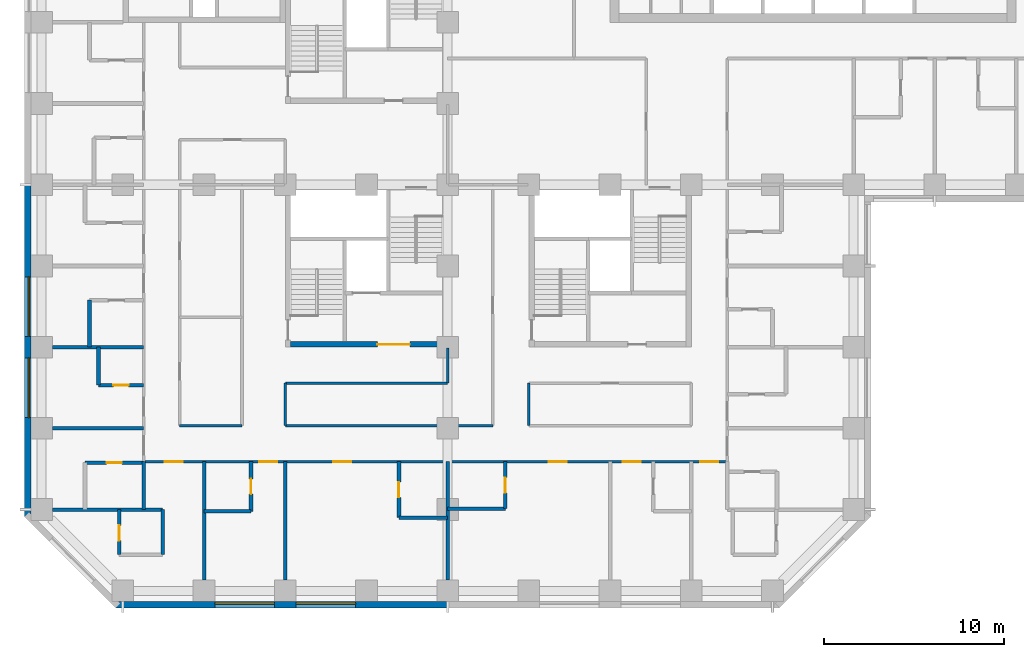
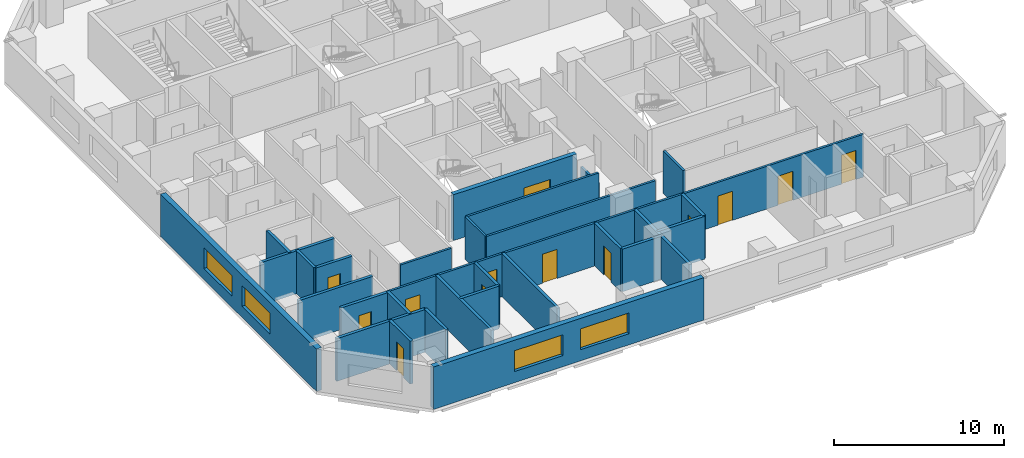
# One storey, part 3 of 13: 29 walls, 13 doors, 4 windows, 17 openings.
"""IFC4 building model written with IfcOpenShell, lengths in metres."""

from ifc_helpers import new_model, si_unit, direction, frame, frame_2d, origin, place, context, subcontext, project, spatial, rectangle, extrude, material, layer, layer_set, constituent, constituent_set, type_object, element, fill, save


model = new_model("IFC4")

# Units and contexts
model_context = context("Model", 3, precision=1e-05, world=origin(), true_north=direction((0.0, 1.0)))
body_context = subcontext(model_context, "Body", "Model", "MODEL_VIEW")
ifc_project = project(units=[si_unit("LENGTHUNIT", "METRE"), si_unit("AREAUNIT", "SQUARE_METRE"), si_unit("VOLUMEUNIT", "CUBIC_METRE"), si_unit("PLANEANGLEUNIT", "RADIAN"), si_unit("MASSUNIT", "GRAM", prefix="KILO")], contexts=[model_context])

# Site, building, storey
site_placement = place(None, origin())
site = spatial("IfcSite", under=ifc_project, at=site_placement, CompositionType="ELEMENT")
building_placement = place(site_placement, origin())
building = spatial("IfcBuilding", under=site, at=building_placement, Name="Quoin Convention Tower", CompositionType="ELEMENT")
storey_placement = place(building_placement, frame((0.0, 0.0, 36.300048828125)))
storey = spatial("IfcBuildingStorey", under=building, at=storey_placement, Name="L08", CompositionType="ELEMENT", Elevation=36.300048828125)

# Wall, openings, windows
ifc_material_1 = material(Name="Brick masonry", Category="masonry")
ifc_layer_1 = layer(ifc_material_1, 0.35009765625)
ifc_layer_set_1 = layer_set([ifc_layer_1], Name="Brick masonry")
wall_type_1 = type_object("IfcWallType", Name="Brick facade wall", PredefinedType="STANDARD", material=ifc_layer_set_1)
wall_1_placement = place(storey_placement, frame((17.6064453125, 17.22509765625, 0.0), z_axis=(0.0, 0.0, 1.0), x_axis=(1.0, 0.0, 0.0)))
wall_1 = element("IfcWall", 1, at=wall_1_placement, inside=storey, type_object=wall_type_1, Name="fw-L08-18000_18000", PredefinedType="STANDARD", context=body_context, shape_type="SweptSolid", body=[
    extrude(rectangle(XDim=18.3935546875, YDim=0.35009765625, at=frame_2d((9.19677734375, 0.0))), origin(), (0.0, 0.0, 1.0), 3.054931640625),
])
opening_1_placement = place(wall_1_placement, frame((5.493408203125, 0.0, 0.800048828125)))
opening_1 = element("IfcOpeningElement", 2, at=opening_1_placement, cuts=wall_1, Name="Opening W-01", PredefinedType="OPENING", context=body_context, shape_type="SweptSolid", body=[
    extrude(rectangle(XDim=3.300048828125, YDim=1.5, at=frame_2d((1.64990234375, 0.75))), frame((0.0, 0.18505859375, 0.0), z_axis=(0.0, -1.0, 0.0), x_axis=(1.0, 0.0, 0.0)), (0.0, 0.0, 1.0), 0.3701171875),
])
opening_2_placement = place(wall_1_placement, frame((9.993408203125, 0.0, 0.800048828125)))
opening_2 = element("IfcOpeningElement", 3, at=opening_2_placement, cuts=wall_1, Name="Opening W-01", PredefinedType="OPENING", context=body_context, shape_type="SweptSolid", body=[
    extrude(rectangle(XDim=3.300048828125, YDim=1.5, at=frame_2d((1.64990234375, 0.75))), frame((0.0, 0.18505859375, 0.0), z_axis=(0.0, -1.0, 0.0), x_axis=(1.0, 0.0, 0.0)), (0.0, 0.0, 1.0), 0.3701171875),
])
ifc_material_2 = material(Name="Aluminium", Category="aluminium")
ifc_constituent_1 = constituent(ifc_material_2, Name="Frame")
ifc_material_3 = material(Name="Insulated glass", Category="glass")
ifc_constituent_2 = constituent(ifc_material_3, Name="Glazing")
ifc_constituent_set = constituent_set(constituents=[ifc_constituent_1, ifc_constituent_2], Name="Aluminium")
window_type = type_object("IfcWindowType", Name="Hotel strip window", PartitioningType="DOUBLE_PANEL_VERTICAL", PredefinedType="WINDOW", material=ifc_constituent_set)
window_1_placement = place(opening_1_placement, origin())
window_1 = element("IfcWindow", 4, at=window_1_placement, inside=storey, type_object=window_type, Name="win-L08-24750_17225", OverallHeight=1.5, OverallWidth=3.300048828125, PartitioningType="SINGLE_PANEL", PredefinedType="WINDOW", context=body_context, shape_type="SweptSolid", body=[
    extrude(rectangle(XDim=3.300048828125, YDim=1.5, at=frame_2d((1.64990234375, 0.75))), frame((0.0, 0.0849609375, 0.0), z_axis=(0.0, -1.0, 0.0), x_axis=(1.0, 0.0, 0.0)), (0.0, 0.0, 1.0), 0.06005859375),
])
fill(opening_1, window_1)
window_2_placement = place(opening_2_placement, origin())
window_2 = element("IfcWindow", 5, at=window_2_placement, inside=storey, type_object=window_type, Name="win-L08-29250_17225", OverallHeight=1.5, OverallWidth=3.300048828125, PartitioningType="SINGLE_PANEL", PredefinedType="WINDOW", context=body_context, shape_type="SweptSolid", body=[
    extrude(rectangle(XDim=3.300048828125, YDim=1.5, at=frame_2d((1.64990234375, 0.75))), frame((0.0, 0.0849609375, 0.0), z_axis=(0.0, -1.0, 0.0), x_axis=(1.0, 0.0, 0.0)), (0.0, 0.0, 1.0), 0.06005859375),
])
fill(opening_2, window_2)

wall_2_placement = place(storey_placement, frame((12.72509765625, 40.5, 0.0), z_axis=(0.0, 0.0, 1.0), x_axis=(0.0, -1.0, 0.0)))
wall_2 = element("IfcWall", 6, at=wall_2_placement, inside=storey, type_object=wall_type_1, Name="fw-L08-13500_40500", PredefinedType="STANDARD", context=body_context, shape_type="SweptSolid", body=[
    extrude(rectangle(XDim=18.3935546875, YDim=0.35009765625, at=frame_2d((9.19677734375, 0.0))), origin(), (0.0, 0.0, 1.0), 3.054931640625),
])
opening_3_placement = place(wall_2_placement, frame((5.10009765625, 0.0, 0.800048828125)))
opening_3 = element("IfcOpeningElement", 7, at=opening_3_placement, cuts=wall_2, Name="Opening W-01", PredefinedType="OPENING", context=body_context, shape_type="SweptSolid", body=[
    extrude(rectangle(XDim=3.300048828125, YDim=1.5, at=frame_2d((1.64990234375, 0.75))), frame((0.0, 0.18505859375, 0.0), z_axis=(0.0, -1.0, 0.0), x_axis=(1.0, 0.0, 0.0)), (0.0, 0.0, 1.0), 0.3701171875),
])
opening_4_placement = place(wall_2_placement, frame((9.60009765625, 0.0, 0.800048828125)))
opening_4 = element("IfcOpeningElement", 8, at=opening_4_placement, cuts=wall_2, Name="Opening W-01", PredefinedType="OPENING", context=body_context, shape_type="SweptSolid", body=[
    extrude(rectangle(XDim=3.300048828125, YDim=1.5, at=frame_2d((1.64990234375, 0.75))), frame((0.0, 0.18505859375, 0.0), z_axis=(0.0, -1.0, 0.0), x_axis=(1.0, 0.0, 0.0)), (0.0, 0.0, 1.0), 0.3701171875),
])
window_3_placement = place(opening_3_placement, origin())
window_3 = element("IfcWindow", 9, at=window_3_placement, inside=storey, type_object=window_type, Name="win-L08-12725_33750", OverallHeight=1.5, OverallWidth=3.300048828125, PartitioningType="SINGLE_PANEL", PredefinedType="WINDOW", context=body_context, shape_type="SweptSolid", body=[
    extrude(rectangle(XDim=3.300048828125, YDim=1.5, at=frame_2d((1.64990234375, 0.75))), frame((0.0, 0.0849609375, 0.0), z_axis=(0.0, -1.0, 0.0), x_axis=(1.0, 0.0, 0.0)), (0.0, 0.0, 1.0), 0.06005859375),
])
fill(opening_3, window_3)
window_4_placement = place(opening_4_placement, origin())
window_4 = element("IfcWindow", 10, at=window_4_placement, inside=storey, type_object=window_type, Name="win-L08-12725_29250", OverallHeight=1.5, OverallWidth=3.300048828125, PartitioningType="SINGLE_PANEL", PredefinedType="WINDOW", context=body_context, shape_type="SweptSolid", body=[
    extrude(rectangle(XDim=3.300048828125, YDim=1.5, at=frame_2d((1.64990234375, 0.75))), frame((0.0, 0.0849609375, 0.0), z_axis=(0.0, -1.0, 0.0), x_axis=(1.0, 0.0, 0.0)), (0.0, 0.0, 1.0), 0.06005859375),
])
fill(opening_4, window_4)

# Wall, opening, door
ifc_material_4 = material(Name="Concrete C80", Category="concrete")
ifc_layer_2 = layer(ifc_material_4, 0.300048828125)
ifc_layer_set_2 = layer_set([ifc_layer_2], Name="Concrete C80")
wall_type_2 = type_object("IfcWallType", Name="RC CORE WALL 300 C80", PredefinedType="SHEAR", material=ifc_layer_set_2)
wall_3_placement = place(storey_placement, frame((27.300048828125, 31.64990234375, 0.0), z_axis=(0.0, 0.0, 1.0), x_axis=(1.0, 0.0, 0.0)))
wall_3 = element("IfcWall", 11, at=wall_3_placement, inside=storey, type_object=wall_type_2, Name="cwl-P4-L08-S", PredefinedType="SHEAR", context=body_context, shape_type="SweptSolid", body=[
    extrude(rectangle(XDim=8.39990234375, YDim=0.300048828125, at=frame_2d((4.199951171875, 0.0))), origin(), (0.0, 0.0, 1.0), 3.300048828125),
])
opening_5_placement = place(wall_3_placement, frame((4.800048828125, 0.0, 0.0)))
opening_5 = element("IfcOpeningElement", 12, at=opening_5_placement, cuts=wall_3, Name="Opening DCV3-43", PredefinedType="OPENING", context=body_context, shape_type="SweptSolid", body=[
    extrude(rectangle(XDim=1.800048828125, YDim=2.10009765625, at=frame_2d((0.89990234375, 1.050048828125))), frame((0.0, 0.159912109375, 0.0), z_axis=(0.0, -1.0, 0.0), x_axis=(1.0, 0.0, 0.0)), (0.0, 0.0, 1.0), 0.320068359375),
])
ifc_material_5 = material(Name="Steel door leaf", Category="steel")
door_type_1 = type_object("IfcDoorType", Name="Goods lobby door 1800 x 2100", OperationType="SINGLE_SWING_LEFT", PredefinedType="DOOR", material=ifc_material_5)
door_1_placement = place(opening_5_placement, origin())
door_1 = element("IfcDoor", 13, at=door_1_placement, inside=storey, type_object=door_type_1, Name="cd-P4-L08-R2-S", OperationType="SINGLE_SWING_LEFT", OverallHeight=2.10009765625, OverallWidth=1.800048828125, PredefinedType="DOOR", context=body_context, shape_type="SweptSolid", body=[
    extrude(rectangle(XDim=1.800048828125, YDim=2.10009765625, at=frame_2d((0.89990234375, 1.050048828125))), frame((0.0, 0.02490234375, 0.0), z_axis=(0.0, -1.0, 0.0), x_axis=(1.0, 0.0, 0.0)), (0.0, 0.0, 1.0), 0.050048828125),
])
fill(opening_5, door_1)

# Walls
ifc_material_6 = material(Name="Concrete C50", Category="concrete")
ifc_layer_3 = layer(ifc_material_6, 0.199951171875)
ifc_layer_set_3 = layer_set([ifc_layer_3], Name="Concrete C50")
wall_type_3 = type_object("IfcWallType", Name="RC party wall", PredefinedType="SOLIDWALL", material=ifc_layer_set_3)
for number, where, z_axis, x_axis, name in (
    (14, (22.5, 18.60009765625, 0.0), (0.0, 0.0, 1.0), (0.0, 1.0, 0.0), "pw-L08-039"),
    (15, (27.0, 18.60009765625, 0.0), (0.0, 0.0, 1.0), (0.0, 1.0, 0.0), "pw-L08-040"),
    (16, (36.0, 18.60009765625, 0.0), (0.0, 0.0, 1.0), (0.0, 1.0, 0.0), "pw-L08-041"),
):
    element("IfcWall", number, at=place(storey_placement, frame(where, z_axis=z_axis, x_axis=x_axis)), inside=storey, type_object=wall_type_3, Name=name, PredefinedType="SOLIDWALL", context=body_context, shape_type="SweptSolid", body=[
        extrude(rectangle(XDim=6.5498046875, YDim=0.199951171875, at=frame_2d((3.27490234375, 0.0))), origin(), (0.0, 0.0, 1.0), 3.079833984375),
    ])

# Wall, opening, door
wall_4_placement = place(storey_placement, frame((17.800048828125, 20.0, 0.0), z_axis=(0.0, 0.0, 1.0), x_axis=(0.0, 1.0, 0.0)))
wall_4 = element("IfcWall", 17, at=wall_4_placement, inside=storey, type_object=wall_type_3, Name="pw-L08-045", PredefinedType="SOLIDWALL", context=body_context, shape_type="SweptSolid", body=[
    extrude(rectangle(XDim=2.5, YDim=0.199951171875, at=frame_2d((1.25, 0.0))), origin(), (0.0, 0.0, 1.0), 3.079833984375),
])
opening_6_placement = place(wall_4_placement, frame((0.77490234375, 0.0, 0.0)))
opening_6 = element("IfcOpeningElement", 18, at=opening_6_placement, cuts=wall_4, Name="Opening DHOTEL-D-42", PredefinedType="OPENING", context=body_context, shape_type="SweptSolid", body=[
    extrude(rectangle(XDim=0.85009765625, YDim=2.10009765625, at=frame_2d((0.425048828125, 1.050048828125))), frame((0.0, 0.10986328125, 0.0), z_axis=(0.0, -1.0, 0.0), x_axis=(1.0, 0.0, 0.0)), (0.0, 0.0, 1.0), 0.219970703125),
])
door_type_2 = type_object("IfcDoorType", Name="Bathroom door", OperationType="SINGLE_SWING_LEFT", PredefinedType="DOOR", material=ifc_material_5)
door_2_placement = place(opening_6_placement, origin())
door_2 = element("IfcDoor", 19, at=door_2_placement, inside=storey, type_object=door_type_2, Name="dr-L08-060", OperationType="SINGLE_SWING_RIGHT", OverallHeight=2.10009765625, OverallWidth=0.85009765625, PredefinedType="DOOR", context=body_context, shape_type="SweptSolid", body=[
    extrude(rectangle(XDim=0.85009765625, YDim=2.10009765625, at=frame_2d((0.425048828125, 1.050048828125))), frame((0.0, 0.02490234375, 0.0), z_axis=(0.0, -1.0, 0.0), x_axis=(1.0, 0.0, 0.0)), (0.0, 0.0, 1.0), 0.050048828125),
])
fill(opening_6, door_2)

# Walls
wall_5_placement = place(storey_placement, frame((20.199951171875, 20.0, 0.0), z_axis=(0.0, 0.0, 1.0), x_axis=(0.0, 1.0, 0.0)))
element("IfcWall", 20, at=wall_5_placement, inside=storey, type_object=wall_type_3, Name="pw-L08-046", PredefinedType="SOLIDWALL", context=body_context, shape_type="SweptSolid", body=[
    extrude(rectangle(XDim=2.5, YDim=0.199951171875, at=frame_2d((1.25, 0.0))), origin(), (0.0, 0.0, 1.0), 3.079833984375),
])
wall_6_placement = place(storey_placement, frame((33.300048828125, 22.050048828125, 0.0), z_axis=(0.0, 0.0, 1.0), x_axis=(1.0, 0.0, 0.0)))
element("IfcWall", 21, at=wall_6_placement, inside=storey, type_object=wall_type_3, Name="pw-L08-050", PredefinedType="SOLIDWALL", context=body_context, shape_type="SweptSolid", body=[
    extrude(rectangle(XDim=2.699951171875, YDim=0.199951171875, at=frame_2d((1.35009765625, 0.0))), origin(), (0.0, 0.0, 1.0), 3.079833984375),
])

# Wall, opening, door
wall_7_placement = place(storey_placement, frame((33.300048828125, 22.050048828125, 0.0), z_axis=(0.0, 0.0, 1.0), x_axis=(0.0, 1.0, 0.0)))
wall_7 = element("IfcWall", 22, at=wall_7_placement, inside=storey, type_object=wall_type_3, Name="pw-L08-051", PredefinedType="SOLIDWALL", context=body_context, shape_type="SweptSolid", body=[
    extrude(rectangle(XDim=3.099853515625, YDim=0.199951171875, at=frame_2d((1.5498046875, 0.0))), origin(), (0.0, 0.0, 1.0), 3.079833984375),
])
opening_7_placement = place(wall_7_placement, frame((1.125, 0.0, 0.0)))
opening_7 = element("IfcOpeningElement", 23, at=opening_7_placement, cuts=wall_7, Name="Opening DHOTEL-D-44", PredefinedType="OPENING", context=body_context, shape_type="SweptSolid", body=[
    extrude(rectangle(XDim=0.85009765625, YDim=2.10009765625, at=frame_2d((0.425048828125, 1.050048828125))), frame((0.0, 0.10986328125, 0.0), z_axis=(0.0, -1.0, 0.0), x_axis=(1.0, 0.0, 0.0)), (0.0, 0.0, 1.0), 0.219970703125),
])
door_3_placement = place(opening_7_placement, origin())
door_3 = element("IfcDoor", 24, at=door_3_placement, inside=storey, type_object=door_type_2, Name="dr-L08-004", OperationType="SINGLE_SWING_RIGHT", OverallHeight=2.10009765625, OverallWidth=0.85009765625, PredefinedType="DOOR", context=body_context, shape_type="SweptSolid", body=[
    extrude(rectangle(XDim=0.85009765625, YDim=2.10009765625, at=frame_2d((0.425048828125, 1.050048828125))), frame((0.0, 0.02490234375, 0.0), z_axis=(0.0, -1.0, 0.0), x_axis=(1.0, 0.0, 0.0)), (0.0, 0.0, 1.0), 0.050048828125),
])
fill(opening_7, door_3)

# Wall
wall_8_placement = place(storey_placement, frame((22.5, 22.39990234375, 0.0), z_axis=(0.0, 0.0, 1.0), x_axis=(1.0, 0.0, 0.0)))
element("IfcWall", 25, at=wall_8_placement, inside=storey, type_object=wall_type_3, Name="pw-L08-052", PredefinedType="SOLIDWALL", context=body_context, shape_type="SweptSolid", body=[
    extrude(rectangle(XDim=2.60009765625, YDim=0.199951171875, at=frame_2d((1.300048828125, 0.0))), origin(), (0.0, 0.0, 1.0), 3.079833984375),
])

# Wall, opening, door
wall_9_placement = place(storey_placement, frame((25.10009765625, 22.39990234375, 0.0), z_axis=(0.0, 0.0, 1.0), x_axis=(0.0, 1.0, 0.0)))
wall_9 = element("IfcWall", 26, at=wall_9_placement, inside=storey, type_object=wall_type_3, Name="pw-L08-053", PredefinedType="SOLIDWALL", context=body_context, shape_type="SweptSolid", body=[
    extrude(rectangle(XDim=2.75, YDim=0.199951171875, at=frame_2d((1.375, 0.0))), origin(), (0.0, 0.0, 1.0), 3.079833984375),
])
opening_8_placement = place(wall_9_placement, frame((0.949951171875, 0.0, 0.0)))
opening_8 = element("IfcOpeningElement", 27, at=opening_8_placement, cuts=wall_9, Name="Opening DHOTEL-D-45", PredefinedType="OPENING", context=body_context, shape_type="SweptSolid", body=[
    extrude(rectangle(XDim=0.85009765625, YDim=2.10009765625, at=frame_2d((0.425048828125, 1.050048828125))), frame((0.0, 0.10986328125, 0.0), z_axis=(0.0, -1.0, 0.0), x_axis=(1.0, 0.0, 0.0)), (0.0, 0.0, 1.0), 0.219970703125),
])
door_4_placement = place(opening_8_placement, frame((0.85009765625, 0.0, 0.0), z_axis=(0.0, 0.0, 1.0), x_axis=(-1.0, 0.0, 0.0)))
door_4 = element("IfcDoor", 28, at=door_4_placement, inside=storey, type_object=door_type_2, Name="dr-L08-002", OperationType="SINGLE_SWING_LEFT", OverallHeight=2.10009765625, OverallWidth=0.85009765625, PredefinedType="DOOR", context=body_context, shape_type="SweptSolid", body=[
    extrude(rectangle(XDim=0.85009765625, YDim=2.10009765625, at=frame_2d((0.425048828125, 1.050048828125))), frame((0.0, 0.02490234375, 0.0), z_axis=(0.0, -1.0, 0.0), x_axis=(1.0, 0.0, 0.0)), (0.0, 0.0, 1.0), 0.050048828125),
])
fill(opening_8, door_4)

# Walls
wall_10_placement = place(storey_placement, frame((14.10009765625, 22.5, 0.0), z_axis=(0.0, 0.0, 1.0), x_axis=(1.0, 0.0, 0.0)))
element("IfcWall", 29, at=wall_10_placement, inside=storey, type_object=wall_type_3, Name="pw-L08-056", PredefinedType="SOLIDWALL", context=body_context, shape_type="SweptSolid", body=[
    extrude(rectangle(XDim=6.099853515625, YDim=0.199951171875, at=frame_2d((3.0498046875, 0.0))), origin(), (0.0, 0.0, 1.0), 3.079833984375),
])
wall_11_placement = place(storey_placement, frame((19.14990234375, 22.5, 0.0), z_axis=(0.0, 0.0, 1.0), x_axis=(0.0, 1.0, 0.0)))
element("IfcWall", 30, at=wall_11_placement, inside=storey, type_object=wall_type_3, Name="pw-L08-058", PredefinedType="SOLIDWALL", context=body_context, shape_type="SweptSolid", body=[
    extrude(rectangle(XDim=2.64990234375, YDim=0.199951171875, at=frame_2d((1.324951171875, 0.0))), origin(), (0.0, 0.0, 1.0), 3.079833984375),
])
wall_12_placement = place(storey_placement, frame((36.0, 22.550048828125, 0.0), z_axis=(0.0, 0.0, 1.0), x_axis=(1.0, 0.0, 0.0)))
element("IfcWall", 31, at=wall_12_placement, inside=storey, type_object=wall_type_3, Name="pw-L08-062", PredefinedType="SOLIDWALL", context=body_context, shape_type="SweptSolid", body=[
    extrude(rectangle(XDim=3.199951171875, YDim=0.199951171875, at=frame_2d((1.60009765625, 0.0))), origin(), (0.0, 0.0, 1.0), 3.079833984375),
])

# Wall, opening, door
wall_13_placement = place(storey_placement, frame((39.199951171875, 22.550048828125, 0.0), z_axis=(0.0, 0.0, 1.0), x_axis=(0.0, 1.0, 0.0)))
wall_13 = element("IfcWall", 32, at=wall_13_placement, inside=storey, type_object=wall_type_3, Name="pw-L08-063", PredefinedType="SOLIDWALL", context=body_context, shape_type="SweptSolid", body=[
    extrude(rectangle(XDim=2.599853515625, YDim=0.199951171875, at=frame_2d((1.2998046875, 0.0))), origin(), (0.0, 0.0, 1.0), 3.079833984375),
])
opening_9_placement = place(wall_13_placement, frame((0.875, 0.0, 0.0)))
opening_9 = element("IfcOpeningElement", 33, at=opening_9_placement, cuts=wall_13, Name="Opening DHOTEL-D-47", PredefinedType="OPENING", context=body_context, shape_type="SweptSolid", body=[
    extrude(rectangle(XDim=0.85009765625, YDim=2.10009765625, at=frame_2d((0.425048828125, 1.050048828125))), frame((0.0, 0.10986328125, 0.0), z_axis=(0.0, -1.0, 0.0), x_axis=(1.0, 0.0, 0.0)), (0.0, 0.0, 1.0), 0.219970703125),
])
door_5_placement = place(opening_9_placement, frame((0.85009765625, 0.0, 0.0), z_axis=(0.0, 0.0, 1.0), x_axis=(-1.0, 0.0, 0.0)))
door_5 = element("IfcDoor", 34, at=door_5_placement, inside=storey, type_object=door_type_2, Name="dr-L08-006", OperationType="SINGLE_SWING_LEFT", OverallHeight=2.10009765625, OverallWidth=0.85009765625, PredefinedType="DOOR", context=body_context, shape_type="SweptSolid", body=[
    extrude(rectangle(XDim=0.85009765625, YDim=2.10009765625, at=frame_2d((0.425048828125, 1.050048828125))), frame((0.0, 0.02490234375, 0.0), z_axis=(0.0, -1.0, 0.0), x_axis=(1.0, 0.0, 0.0)), (0.0, 0.0, 1.0), 0.050048828125),
])
fill(opening_9, door_5)

wall_14_placement = place(storey_placement, frame((15.89990234375, 25.10009765625, 0.0), z_axis=(0.0, 0.0, 1.0), x_axis=(1.0, 0.0, 0.0)))
wall_14 = element("IfcWall", 35, at=wall_14_placement, inside=storey, type_object=wall_type_3, Name="pw-L08-065", PredefinedType="SOLIDWALL", context=body_context, shape_type="SweptSolid", body=[
    extrude(rectangle(XDim=3.25, YDim=0.199951171875, at=frame_2d((1.625, 0.0))), origin(), (0.0, 0.0, 1.0), 3.079833984375),
])
opening_10_placement = place(wall_14_placement, frame((1.199951171875, 0.0, 0.0)))
opening_10 = element("IfcOpeningElement", 36, at=opening_10_placement, cuts=wall_14, Name="Opening DHOTEL-D-49", PredefinedType="OPENING", context=body_context, shape_type="SweptSolid", body=[
    extrude(rectangle(XDim=0.85009765625, YDim=2.10009765625, at=frame_2d((0.425048828125, 1.050048828125))), frame((0.0, 0.10986328125, 0.0), z_axis=(0.0, -1.0, 0.0), x_axis=(1.0, 0.0, 0.0)), (0.0, 0.0, 1.0), 0.219970703125),
])
door_6_placement = place(opening_10_placement, origin())
door_6 = element("IfcDoor", 37, at=door_6_placement, inside=storey, type_object=door_type_2, Name="dr-L08-010", OperationType="SINGLE_SWING_RIGHT", OverallHeight=2.10009765625, OverallWidth=0.85009765625, PredefinedType="DOOR", context=body_context, shape_type="SweptSolid", body=[
    extrude(rectangle(XDim=0.85009765625, YDim=2.10009765625, at=frame_2d((0.425048828125, 1.050048828125))), frame((0.0, 0.02490234375, 0.0), z_axis=(0.0, -1.0, 0.0), x_axis=(1.0, 0.0, 0.0)), (0.0, 0.0, 1.0), 0.050048828125),
])
fill(opening_10, door_6)

# Wall
wall_15_placement = place(storey_placement, frame((14.10009765625, 27.0, 0.0), z_axis=(0.0, 0.0, 1.0), x_axis=(1.0, 0.0, 0.0)))
element("IfcWall", 38, at=wall_15_placement, inside=storey, type_object=wall_type_3, Name="pw-L08-066", PredefinedType="SOLIDWALL", context=body_context, shape_type="SweptSolid", body=[
    extrude(rectangle(XDim=5.0498046875, YDim=0.199951171875, at=frame_2d((2.52490234375, 0.0))), origin(), (0.0, 0.0, 1.0), 3.079833984375),
])

# Wall, opening, door
wall_16_placement = place(storey_placement, frame((16.64990234375, 29.39990234375, 0.0), z_axis=(0.0, 0.0, 1.0), x_axis=(1.0, 0.0, 0.0)))
wall_16 = element("IfcWall", 39, at=wall_16_placement, inside=storey, type_object=wall_type_3, Name="pw-L08-070", PredefinedType="SOLIDWALL", context=body_context, shape_type="SweptSolid", body=[
    extrude(rectangle(XDim=2.5, YDim=0.199951171875, at=frame_2d((1.25, 0.0))), origin(), (0.0, 0.0, 1.0), 3.079833984375),
])
opening_11_placement = place(wall_16_placement, frame((0.824951171875, 0.0, 0.0)))
opening_11 = element("IfcOpeningElement", 40, at=opening_11_placement, cuts=wall_16, Name="Opening DHOTEL-D-51", PredefinedType="OPENING", context=body_context, shape_type="SweptSolid", body=[
    extrude(rectangle(XDim=0.85009765625, YDim=2.10009765625, at=frame_2d((0.425048828125, 1.050048828125))), frame((0.0, 0.10986328125, 0.0), z_axis=(0.0, -1.0, 0.0), x_axis=(1.0, 0.0, 0.0)), (0.0, 0.0, 1.0), 0.219970703125),
])
door_7_placement = place(opening_11_placement, origin())
door_7 = element("IfcDoor", 41, at=door_7_placement, inside=storey, type_object=door_type_2, Name="dr-L08-012", OperationType="SINGLE_SWING_RIGHT", OverallHeight=2.10009765625, OverallWidth=0.85009765625, PredefinedType="DOOR", context=body_context, shape_type="SweptSolid", body=[
    extrude(rectangle(XDim=0.85009765625, YDim=2.10009765625, at=frame_2d((0.425048828125, 1.050048828125))), frame((0.0, 0.02490234375, 0.0), z_axis=(0.0, -1.0, 0.0), x_axis=(1.0, 0.0, 0.0)), (0.0, 0.0, 1.0), 0.050048828125),
])
fill(opening_11, door_7)

# Walls
wall_17_placement = place(storey_placement, frame((16.64990234375, 29.39990234375, 0.0), z_axis=(0.0, 0.0, 1.0), x_axis=(0.0, 1.0, 0.0)))
element("IfcWall", 42, at=wall_17_placement, inside=storey, type_object=wall_type_3, Name="pw-L08-071", PredefinedType="SOLIDWALL", context=body_context, shape_type="SweptSolid", body=[
    extrude(rectangle(XDim=2.10009765625, YDim=0.199951171875, at=frame_2d((1.050048828125, 0.0))), origin(), (0.0, 0.0, 1.0), 3.079833984375),
])
wall_18_placement = place(storey_placement, frame((14.10009765625, 31.5, 0.0), z_axis=(0.0, 0.0, 1.0), x_axis=(1.0, 0.0, 0.0)))
element("IfcWall", 43, at=wall_18_placement, inside=storey, type_object=wall_type_3, Name="pw-L08-072", PredefinedType="SOLIDWALL", context=body_context, shape_type="SweptSolid", body=[
    extrude(rectangle(XDim=5.0498046875, YDim=0.199951171875, at=frame_2d((2.52490234375, 0.0))), origin(), (0.0, 0.0, 1.0), 3.079833984375),
])
wall_19_placement = place(storey_placement, frame((16.14990234375, 31.5, 0.0), z_axis=(0.0, 0.0, 1.0), x_axis=(0.0, 1.0, 0.0)))
element("IfcWall", 44, at=wall_19_placement, inside=storey, type_object=wall_type_3, Name="pw-L08-073", PredefinedType="SOLIDWALL", context=body_context, shape_type="SweptSolid", body=[
    extrude(rectangle(XDim=2.60009765625, YDim=0.199951171875, at=frame_2d((1.300048828125, 0.0))), origin(), (0.0, 0.0, 1.0), 3.079833984375),
])

# Wall, openings, doors
ifc_material_7 = material(Name="Plasterboard")
ifc_layer_4 = layer(ifc_material_7, 0.012451171875, Name="Finish")
ifc_material_8 = material(Name="Steel stud framing", Category="steel")
ifc_layer_5 = layer(ifc_material_8, 0.125, Name="Structure")
ifc_layer_6 = layer(ifc_material_7, 0.012451171875, Name="Finish")
ifc_layer_set_4 = layer_set([ifc_layer_4, ifc_layer_5, ifc_layer_6], Name="Steel stud framing")
wall_type_4 = type_object("IfcWallType", Name="corridor partition", PredefinedType="PARTITIONING", material=ifc_layer_set_4)
wall_20_placement = place(storey_placement, frame((19.14990234375, 25.14990234375, 0.0), z_axis=(0.0, 0.0, 1.0), x_axis=(1.0, 0.0, 0.0)))
wall_20 = element("IfcWall", 45, at=wall_20_placement, inside=storey, type_object=wall_type_4, Name="pw-L08-005", PredefinedType="PARTITIONING", context=body_context, shape_type="SweptSolid", body=[
    extrude(rectangle(XDim=32.35009765625, YDim=0.14990234375, at=frame_2d((16.175048828125, 0.0))), origin(), (0.0, 0.0, 1.0), 3.079833984375),
])
opening_12_placement = place(wall_20_placement, frame((6.39990234375, 0.0, 0.0)))
opening_12 = element("IfcOpeningElement", 46, at=opening_12_placement, cuts=wall_20, Name="Opening DHOTEL-D-02", PredefinedType="OPENING", context=body_context, shape_type="SweptSolid", body=[
    extrude(rectangle(XDim=1.0, YDim=2.10009765625, at=frame_2d((0.5, 1.050048828125))), frame((0.0, 0.0849609375, 0.0), z_axis=(0.0, -1.0, 0.0), x_axis=(1.0, 0.0, 0.0)), (0.0, 0.0, 1.0), 0.169921875),
])
opening_13_placement = place(wall_20_placement, frame((10.5, 0.0, 0.0)))
opening_13 = element("IfcOpeningElement", 47, at=opening_13_placement, cuts=wall_20, Name="Opening DHOTEL-D-03", PredefinedType="OPENING", context=body_context, shape_type="SweptSolid", body=[
    extrude(rectangle(XDim=1.0, YDim=2.10009765625, at=frame_2d((0.5, 1.050048828125))), frame((0.0, 0.0849609375, 0.0), z_axis=(0.0, -1.0, 0.0), x_axis=(1.0, 0.0, 0.0)), (0.0, 0.0, 1.0), 0.169921875),
])
opening_14_placement = place(wall_20_placement, frame((22.449951171875, 0.0, 0.0)))
opening_14 = element("IfcOpeningElement", 48, at=opening_14_placement, cuts=wall_20, Name="Opening DHOTEL-D-04", PredefinedType="OPENING", context=body_context, shape_type="SweptSolid", body=[
    extrude(rectangle(XDim=1.0, YDim=2.10009765625, at=frame_2d((0.5, 1.050048828125))), frame((0.0, 0.0849609375, 0.0), z_axis=(0.0, -1.0, 0.0), x_axis=(1.0, 0.0, 0.0)), (0.0, 0.0, 1.0), 0.169921875),
])
opening_15_placement = place(wall_20_placement, frame((26.550048828125, 0.0, 0.0)))
opening_15 = element("IfcOpeningElement", 49, at=opening_15_placement, cuts=wall_20, Name="Opening DHOTEL-D-05", PredefinedType="OPENING", context=body_context, shape_type="SweptSolid", body=[
    extrude(rectangle(XDim=1.0, YDim=2.10009765625, at=frame_2d((0.5, 1.050048828125))), frame((0.0, 0.0849609375, 0.0), z_axis=(0.0, -1.0, 0.0), x_axis=(1.0, 0.0, 0.0)), (0.0, 0.0, 1.0), 0.169921875),
])
opening_16_placement = place(wall_20_placement, frame((1.175048828125, 0.0, 0.0)))
opening_16 = element("IfcOpeningElement", 50, at=opening_16_placement, cuts=wall_20, Name="Opening DHOTEL-D-01", PredefinedType="OPENING", context=body_context, shape_type="SweptSolid", body=[
    extrude(rectangle(XDim=1.0, YDim=2.10009765625, at=frame_2d((0.5, 1.050048828125))), frame((0.0, 0.0849609375, 0.0), z_axis=(0.0, -1.0, 0.0), x_axis=(1.0, 0.0, 0.0)), (0.0, 0.0, 1.0), 0.169921875),
])
opening_17_placement = place(wall_20_placement, frame((30.85009765625, 0.0, 0.0)))
opening_17 = element("IfcOpeningElement", 51, at=opening_17_placement, cuts=wall_20, Name="Opening DHOTEL-D-06", PredefinedType="OPENING", context=body_context, shape_type="SweptSolid", body=[
    extrude(rectangle(XDim=1.0, YDim=2.10009765625, at=frame_2d((0.5, 1.050048828125))), frame((0.0, 0.0849609375, 0.0), z_axis=(0.0, -1.0, 0.0), x_axis=(1.0, 0.0, 0.0)), (0.0, 0.0, 1.0), 0.169921875),
])
door_type_3 = type_object("IfcDoorType", Name="Hotel room door", OperationType="SINGLE_SWING_LEFT", PredefinedType="DOOR", material=ifc_material_5)
door_8_placement = place(opening_12_placement, frame((1.0, 0.0, 0.0), z_axis=(0.0, 0.0, 1.0), x_axis=(-1.0, 0.0, 0.0)))
door_8 = element("IfcDoor", 52, at=door_8_placement, inside=storey, type_object=door_type_3, Name="dr-L08-001", OperationType="SINGLE_SWING_LEFT", OverallHeight=2.10009765625, OverallWidth=1.0, PredefinedType="DOOR", context=body_context, shape_type="SweptSolid", body=[
    extrude(rectangle(XDim=1.0, YDim=2.10009765625, at=frame_2d((0.5, 1.050048828125))), frame((0.0, 0.02490234375, 0.0), z_axis=(0.0, -1.0, 0.0), x_axis=(1.0, 0.0, 0.0)), (0.0, 0.0, 1.0), 0.050048828125),
])
fill(opening_12, door_8)
door_9_placement = place(opening_13_placement, frame((1.0, 0.0, 0.0), z_axis=(0.0, 0.0, 1.0), x_axis=(-1.0, 0.0, 0.0)))
door_9 = element("IfcDoor", 53, at=door_9_placement, inside=storey, type_object=door_type_3, Name="dr-L08-003", OperationType="SINGLE_SWING_LEFT", OverallHeight=2.10009765625, OverallWidth=1.0, PredefinedType="DOOR", context=body_context, shape_type="SweptSolid", body=[
    extrude(rectangle(XDim=1.0, YDim=2.10009765625, at=frame_2d((0.5, 1.050048828125))), frame((0.0, 0.02490234375, 0.0), z_axis=(0.0, -1.0, 0.0), x_axis=(1.0, 0.0, 0.0)), (0.0, 0.0, 1.0), 0.050048828125),
])
fill(opening_13, door_9)
door_10_placement = place(opening_14_placement, frame((1.0, 0.0, 0.0), z_axis=(0.0, 0.0, 1.0), x_axis=(-1.0, 0.0, 0.0)))
door_10 = element("IfcDoor", 54, at=door_10_placement, inside=storey, type_object=door_type_3, Name="dr-L08-005", OperationType="SINGLE_SWING_LEFT", OverallHeight=2.10009765625, OverallWidth=1.0, PredefinedType="DOOR", context=body_context, shape_type="SweptSolid", body=[
    extrude(rectangle(XDim=1.0, YDim=2.10009765625, at=frame_2d((0.5, 1.050048828125))), frame((0.0, 0.02490234375, 0.0), z_axis=(0.0, -1.0, 0.0), x_axis=(1.0, 0.0, 0.0)), (0.0, 0.0, 1.0), 0.050048828125),
])
fill(opening_14, door_10)
door_11_placement = place(opening_15_placement, frame((1.0, 0.0, 0.0), z_axis=(0.0, 0.0, 1.0), x_axis=(-1.0, 0.0, 0.0)))
door_11 = element("IfcDoor", 55, at=door_11_placement, inside=storey, type_object=door_type_3, Name="dr-L08-007", OperationType="SINGLE_SWING_LEFT", OverallHeight=2.10009765625, OverallWidth=1.0, PredefinedType="DOOR", context=body_context, shape_type="SweptSolid", body=[
    extrude(rectangle(XDim=1.0, YDim=2.10009765625, at=frame_2d((0.5, 1.050048828125))), frame((0.0, 0.02490234375, 0.0), z_axis=(0.0, -1.0, 0.0), x_axis=(1.0, 0.0, 0.0)), (0.0, 0.0, 1.0), 0.050048828125),
])
fill(opening_15, door_11)
door_12_placement = place(opening_16_placement, frame((1.0, 0.0, 0.0), z_axis=(0.0, 0.0, 1.0), x_axis=(-1.0, 0.0, 0.0)))
door_12 = element("IfcDoor", 56, at=door_12_placement, inside=storey, type_object=door_type_3, Name="dr-L08-059", OperationType="SINGLE_SWING_LEFT", OverallHeight=2.10009765625, OverallWidth=1.0, PredefinedType="DOOR", context=body_context, shape_type="SweptSolid", body=[
    extrude(rectangle(XDim=1.0, YDim=2.10009765625, at=frame_2d((0.5, 1.050048828125))), frame((0.0, 0.02490234375, 0.0), z_axis=(0.0, -1.0, 0.0), x_axis=(1.0, 0.0, 0.0)), (0.0, 0.0, 1.0), 0.050048828125),
])
fill(opening_16, door_12)
door_13_placement = place(opening_17_placement, frame((1.0, 0.0, 0.0), z_axis=(0.0, 0.0, 1.0), x_axis=(-1.0, 0.0, 0.0)))
door_13 = element("IfcDoor", 57, at=door_13_placement, inside=storey, type_object=door_type_3, Name="dr-L08-061", OperationType="SINGLE_SWING_LEFT", OverallHeight=2.10009765625, OverallWidth=1.0, PredefinedType="DOOR", context=body_context, shape_type="SweptSolid", body=[
    extrude(rectangle(XDim=1.0, YDim=2.10009765625, at=frame_2d((0.5, 1.050048828125))), frame((0.0, 0.02490234375, 0.0), z_axis=(0.0, -1.0, 0.0), x_axis=(1.0, 0.0, 0.0)), (0.0, 0.0, 1.0), 0.050048828125),
])
fill(opening_17, door_13)

# Walls
wall_21_placement = place(storey_placement, frame((21.14990234375, 27.14990234375, 0.0), z_axis=(0.0, 0.0, 1.0), x_axis=(1.0, 0.0, 0.0)))
element("IfcWall", 58, at=wall_21_placement, inside=storey, type_object=wall_type_4, Name="pw-L08-008", PredefinedType="PARTITIONING", context=body_context, shape_type="SweptSolid", body=[
    extrude(rectangle(XDim=3.4501953125, YDim=0.14990234375, at=frame_2d((1.72509765625, 0.0))), origin(), (0.0, 0.0, 1.0), 3.079833984375),
])
wall_22_placement = place(storey_placement, frame((27.0, 27.14990234375, 0.0), z_axis=(0.0, 0.0, 1.0), x_axis=(1.0, 0.0, 0.0)))
element("IfcWall", 59, at=wall_22_placement, inside=storey, type_object=wall_type_4, Name="pw-L08-011", PredefinedType="PARTITIONING", context=body_context, shape_type="SweptSolid", body=[
    extrude(rectangle(XDim=11.5, YDim=0.14990234375, at=frame_2d((5.75, 0.0))), origin(), (0.0, 0.0, 1.0), 3.079833984375),
])
for number, where, z_axis, x_axis, name in (
    (60, (27.0, 27.14990234375, 0.0), (0.0, 0.0, 1.0), (0.0, 1.0, 0.0), "pw-L08-012"),
    (61, (40.5, 27.14990234375, 0.0), (0.0, 0.0, 1.0), (0.0, 1.0, 0.0), "pw-L08-015"),
):
    element("IfcWall", number, at=place(storey_placement, frame(where, z_axis=z_axis, x_axis=x_axis)), inside=storey, type_object=wall_type_4, Name=name, PredefinedType="PARTITIONING", context=body_context, shape_type="SweptSolid", body=[
        extrude(rectangle(XDim=2.35009765625, YDim=0.14990234375, at=frame_2d((1.175048828125, 0.0))), origin(), (0.0, 0.0, 1.0), 3.079833984375),
    ])
wall_23_placement = place(storey_placement, frame((27.0, 29.5, 0.0), z_axis=(0.0, 0.0, 1.0), x_axis=(1.0, 0.0, 0.0)))
element("IfcWall", 62, at=wall_23_placement, inside=storey, type_object=wall_type_4, Name="pw-L08-017", PredefinedType="PARTITIONING", context=body_context, shape_type="SweptSolid", body=[
    extrude(rectangle(XDim=9.0, YDim=0.14990234375, at=frame_2d((4.5, 0.0))), origin(), (0.0, 0.0, 1.0), 3.079833984375),
])
ifc_layer_7 = layer(ifc_material_7, 0.012451171875, Name="Finish")
ifc_layer_8 = layer(ifc_material_8, 0.125, Name="Structure")
ifc_layer_9 = layer(ifc_material_7, 0.012451171875, Name="Finish")
ifc_layer_set_5 = layer_set([ifc_layer_7, ifc_layer_8, ifc_layer_9], Name="Steel stud framing")
wall_type_5 = type_object("IfcWallType", Name="corridor partition under beam 750", PredefinedType="PARTITIONING", material=ifc_layer_set_5)
wall_24_placement = place(storey_placement, frame((36.0, 29.5, 0.0), z_axis=(0.0, 0.0, 1.0), x_axis=(0.0, 1.0, 0.0)))
element("IfcWall", 63, at=wall_24_placement, inside=storey, type_object=wall_type_5, Name="pw-L08-018", PredefinedType="PARTITIONING", context=body_context, shape_type="SweptSolid", body=[
    extrude(rectangle(XDim=1.949951171875, YDim=0.14990234375, at=frame_2d((0.97509765625, 0.0))), origin(), (0.0, 0.0, 1.0), 2.329833984375),
])

save(model, "model.ifc")
